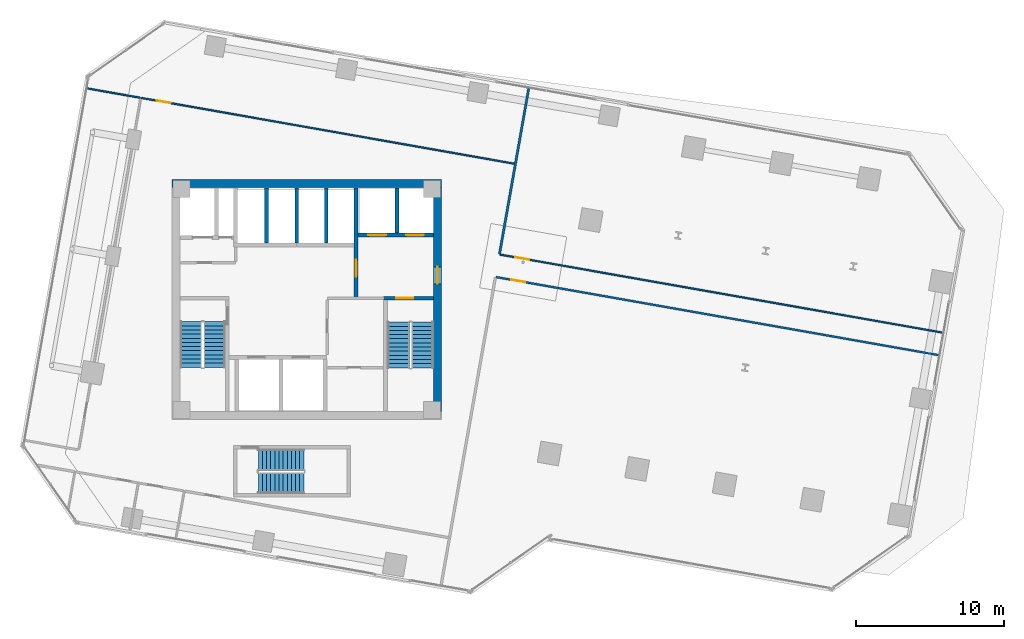
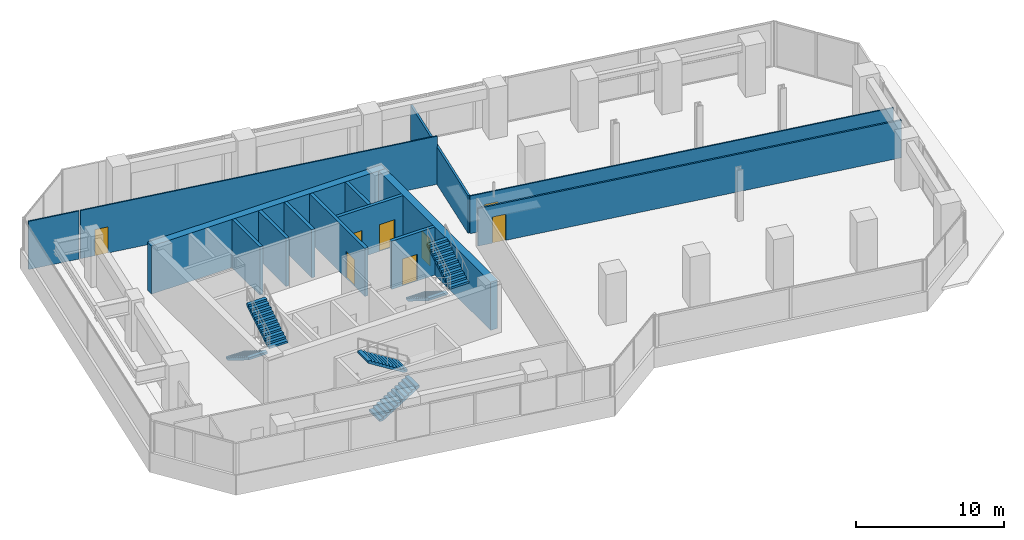
# One storey, part 20 of 24: 14 walls, 8 doors, 6 stair flights, 8 openings, 3 elements without a shape of their own.
"""IFC4 building model written with IfcOpenShell, lengths in metres."""

from ifc_helpers import new_model, si_unit, direction, frame, frame_2d, origin, place, context, subcontext, project, spatial, polyline, rectangle, outline, extrude, source, transform, mapped, material, layer, layer_set, type_object, element, fill, aggregate, save


model = new_model("IFC4")

# Units and contexts
model_context = context("Model", 3, precision=1e-05, world=origin(), true_north=direction((0.0, 1.0)))
body_context = subcontext(model_context, "Body", "Model", "MODEL_VIEW")
ifc_project = project(units=[si_unit("LENGTHUNIT", "METRE"), si_unit("AREAUNIT", "SQUARE_METRE"), si_unit("VOLUMEUNIT", "CUBIC_METRE"), si_unit("PLANEANGLEUNIT", "RADIAN"), si_unit("MASSUNIT", "GRAM", prefix="KILO")], contexts=[model_context])

# Site, building, storey
site_placement = place(None, origin())
site = spatial("IfcSite", under=ifc_project, at=site_placement, CompositionType="ELEMENT")
building_placement = place(site_placement, origin())
building = spatial("IfcBuilding", under=site, at=building_placement, Name="Torre Montelarca", CompositionType="ELEMENT")
storey_placement = place(building_placement, frame((0.0, 0.0, 74.800048828125)))
storey = spatial("IfcBuildingStorey", under=building, at=storey_placement, Name="L16", CompositionType="ELEMENT", Elevation=74.800048828125)

# Wall, opening, door
ifc_material_1 = material(Name="Concrete C40/50", Category="concrete")
ifc_layer_1 = layer(ifc_material_1, 0.25, Name="Concrete C40/50", Category="concrete")
ifc_layer_set_1 = layer_set([ifc_layer_1], Name="Concrete C40/50")
wall_type_1 = type_object("IfcWallType", Name="CW-SHAFT-250", PredefinedType="SHEAR", material=ifc_layer_set_1)
wall_1_placement = place(storey_placement, frame((23.18994140625, 32.074951171875, 0.0), z_axis=(0.0, 0.0, 1.0), x_axis=(1.0, 0.0, 0.0)))
wall_1 = element("IfcWall", 1, at=wall_1_placement, inside=storey, type_object=wall_type_1, Name="L16 Core Shear Wall SH-ST2-N", PredefinedType="SHEAR", context=body_context, shape_type="SweptSolid", body=[
    extrude(rectangle(XDim=3.35009765625, YDim=0.25, at=frame_2d((1.675048828125, 0.0))), origin(), (0.0, 0.0, 1.0), 3.9599609375),
])
opening_1_placement = place(wall_1_placement, frame((0.85009765625, 0.0, 0.0)))
opening_1 = element("IfcOpeningElement", 2, at=opening_1_placement, cuts=wall_1, Name="Opening FD-ST1", PredefinedType="OPENING", context=body_context, shape_type="SweptSolid", body=[
    extrude(rectangle(XDim=1.14990234375, YDim=2.199951171875, at=frame_2d((0.574951171875, 1.10009765625))), frame((0.0, 0.135009765625, 0.0), z_axis=(0.0, -1.0, 0.0), x_axis=(1.0, 0.0, 0.0)), (0.0, 0.0, 1.0), 0.27001953125),
])
ifc_material_2 = material(Name="Galvanized steel fire door", Category="steel")
door_type_1 = type_object("IfcDoorType", Name="DR-STAIR-115", OperationType="NOTDEFINED", PredefinedType="DOOR", material=ifc_material_2)
shared_shape_1 = source(origin(), body_context, "Body", "SweptSolid", [
    extrude(rectangle(XDim=1.14990234375, YDim=2.199951171875, at=frame_2d((0.574951171875, 1.10009765625))), frame((0.0, 0.02490234375, 0.0), z_axis=(0.0, -1.0, 0.0), x_axis=(1.0, 0.0, 0.0)), (0.0, 0.0, 1.0), 0.050048828125),
])
door_1_placement = place(opening_1_placement, origin())
door_1 = element("IfcDoor", 3, at=door_1_placement, inside=storey, type_object=door_type_1, Name="L16 Exit Stair ST2 Fire Door", OperationType="SINGLE_SWING_RIGHT", OverallHeight=2.199951171875, OverallWidth=1.14990234375, PredefinedType="DOOR", context=body_context, shape_type="MappedRepresentation", body=[
    mapped(shared_shape_1, transform((0.0, 0.0, 0.0), scale=1.0)),
])
fill(opening_1, door_1)

wall_2_placement = place(storey_placement, frame((21.320068359375, 32.1201171875, 0.0), z_axis=(0.0, 0.0, 1.0), x_axis=(0.0, 1.0, 0.0)))
wall_2 = element("IfcWall", 4, at=wall_2_placement, inside=storey, type_object=wall_type_1, Name="L16 Core Shear Wall SH-FFL-W", PredefinedType="SHEAR", context=body_context, shape_type="SweptSolid", body=[
    extrude(rectangle(XDim=7.419921875, YDim=0.25, at=frame_2d((3.7099609375, 0.0))), origin(), (0.0, 0.0, 1.0), 3.9599609375),
])
opening_2_placement = place(wall_2_placement, frame((1.39990234375, 0.0, 0.0)))
opening_2 = element("IfcOpeningElement", 5, at=opening_2_placement, cuts=wall_2, Name="Opening FD-LB1", PredefinedType="OPENING", context=body_context, shape_type="SweptSolid", body=[
    extrude(rectangle(XDim=1.14990234375, YDim=2.199951171875, at=frame_2d((0.574951171875, 1.10009765625))), frame((0.0, 0.135009765625, 0.0), z_axis=(0.0, -1.0, 0.0), x_axis=(1.0, 0.0, 0.0)), (0.0, 0.0, 1.0), 0.27001953125),
])
ifc_material_3 = material(Name="Acoustic timber-veneered fire door", Category="wood")
door_type_2 = type_object("IfcDoorType", Name="DR-LOBBY-115", OperationType="NOTDEFINED", PredefinedType="DOOR", material=ifc_material_3)
shared_shape_2 = source(origin(), body_context, "Body", "SweptSolid", [
    extrude(rectangle(XDim=1.14990234375, YDim=2.199951171875, at=frame_2d((0.574951171875, 1.10009765625))), frame((0.0, 0.02490234375, 0.0), z_axis=(0.0, -1.0, 0.0), x_axis=(1.0, 0.0, 0.0)), (0.0, 0.0, 1.0), 0.050048828125),
])
door_2_placement = place(opening_2_placement, origin())
door_2 = element("IfcDoor", 6, at=door_2_placement, inside=storey, type_object=door_type_2, Name="L16 Lift Lobby to Firefighting Lobby Smoke Door", OperationType="SINGLE_SWING_LEFT", OverallHeight=2.199951171875, OverallWidth=1.14990234375, PredefinedType="DOOR", context=body_context, shape_type="MappedRepresentation", body=[
    mapped(shared_shape_2, transform((0.0, 0.0, 0.0), scale=1.0)),
])
fill(opening_2, door_2)

# Wall, openings, doors
wall_3_placement = place(storey_placement, frame((21.449951171875, 36.35009765625, 0.0), z_axis=(0.0, 0.0, 1.0), x_axis=(1.0, 0.0, 0.0)))
wall_3 = element("IfcWall", 7, at=wall_3_placement, inside=storey, type_object=wall_type_1, Name="L16 Core Shear Wall SH-FF-S", PredefinedType="SHEAR", context=body_context, shape_type="SweptSolid", body=[
    extrude(rectangle(XDim=5.090087890625, YDim=0.25, at=frame_2d((2.544921875, 0.0))), origin(), (0.0, 0.0, 1.0), 3.9599609375),
])
opening_3_placement = place(wall_3_placement, frame((0.699951171875, 0.0, 0.0)))
opening_3 = element("IfcOpeningElement", 8, at=opening_3_placement, cuts=wall_3, Name="Opening LD-120", PredefinedType="OPENING", context=body_context, shape_type="SweptSolid", body=[
    extrude(rectangle(XDim=1.199951171875, YDim=2.199951171875, at=frame_2d((0.60009765625, 1.10009765625))), frame((0.0, 0.135009765625, 0.0), z_axis=(0.0, -1.0, 0.0), x_axis=(1.0, 0.0, 0.0)), (0.0, 0.0, 1.0), 0.27001953125),
])
opening_4_placement = place(wall_3_placement, frame((3.25, 0.0, 0.0)))
opening_4 = element("IfcOpeningElement", 9, at=opening_4_placement, cuts=wall_3, Name="Opening LD-120", PredefinedType="OPENING", context=body_context, shape_type="SweptSolid", body=[
    extrude(rectangle(XDim=1.199951171875, YDim=2.199951171875, at=frame_2d((0.60009765625, 1.10009765625))), frame((0.0, 0.135009765625, 0.0), z_axis=(0.0, -1.0, 0.0), x_axis=(1.0, 0.0, 0.0)), (0.0, 0.0, 1.0), 0.27001953125),
])
ifc_material_4 = material(Name="Brushed stainless steel AISI 316", Category="steel")
door_type_3 = type_object("IfcDoorType", Name="DR-LIFT-120", OperationType="SLIDING_TO_RIGHT", PredefinedType="DOOR", material=ifc_material_4)
shared_shape_3 = source(origin(), body_context, "Body", "SweptSolid", [
    extrude(rectangle(XDim=1.199951171875, YDim=2.199951171875, at=frame_2d((0.60009765625, 1.10009765625))), frame((0.0, 0.02490234375, 0.0), z_axis=(0.0, -1.0, 0.0), x_axis=(1.0, 0.0, 0.0)), (0.0, 0.0, 1.0), 0.050048828125),
])
door_3_placement = place(opening_3_placement, origin())
door_3 = element("IfcDoor", 10, at=door_3_placement, inside=storey, type_object=door_type_3, Name="L16 Lift Landing Sliding Door FF-1", OperationType="SLIDING_TO_LEFT", OverallHeight=2.199951171875, OverallWidth=1.199951171875, PredefinedType="DOOR", context=body_context, shape_type="MappedRepresentation", body=[
    mapped(shared_shape_3, transform((0.0, 0.0, 0.0), scale=1.0)),
])
fill(opening_3, door_3)
door_4_placement = place(opening_4_placement, origin())
door_4 = element("IfcDoor", 11, at=door_4_placement, inside=storey, type_object=door_type_3, Name="L16 Lift Landing Sliding Door FF-2", OperationType="SLIDING_TO_RIGHT", OverallHeight=2.199951171875, OverallWidth=1.199951171875, PredefinedType="DOOR", context=body_context, shape_type="MappedRepresentation", body=[
    mapped(shared_shape_3, transform((0.0, 0.0, 0.0), scale=1.0)),
])
fill(opening_4, door_4)

# Walls
wall_4_placement = place(storey_placement, frame((24.080078125, 36.47998046875, 0.0), z_axis=(0.0, 0.0, 1.0), x_axis=(0.0, 1.0, 0.0)))
element("IfcWall", 12, at=wall_4_placement, inside=storey, type_object=wall_type_1, Name="L16 Core Shear Wall SH-FF-M", PredefinedType="SHEAR", context=body_context, shape_type="SweptSolid", body=[
    extrude(rectangle(XDim=3.06005859375, YDim=0.25, at=frame_2d((1.530029296875, 0.0))), origin(), (0.0, 0.0, 1.0), 3.9599609375),
])
for number, where, z_axis, x_axis, name in (
    (13, (15.280029296875, 35.81005859375, 0.0), (0.0, 0.0, 1.0), (0.0, 1.0, 0.0), "L16 Core Shear Wall SH-PLM-M"),
    (14, (17.320068359375, 35.81005859375, 0.0), (0.0, 0.0, 1.0), (0.0, 1.0, 0.0), "L16 Core Shear Wall SH-PLH-W"),
    (15, (19.320068359375, 35.81005859375, 0.0), (0.0, 0.0, 1.0), (0.0, 1.0, 0.0), "L16 Core Shear Wall SH-PLH-M"),
):
    element("IfcWall", number, at=place(storey_placement, frame(where, z_axis=z_axis, x_axis=x_axis)), inside=storey, type_object=wall_type_1, Name=name, PredefinedType="SHEAR", context=body_context, shape_type="SweptSolid", body=[
        extrude(rectangle(XDim=3.72998046875, YDim=0.25, at=frame_2d((1.864990234375, 0.0))), origin(), (0.0, 0.0, 1.0), 3.9599609375),
    ])

# Wall, opening, door
ifc_material_5 = material(Name="Concrete C70/85", Category="concrete")
ifc_layer_2 = layer(ifc_material_5, 0.550048828125, Name="Concrete C70/85", Category="concrete")
ifc_layer_set_2 = layer_set([ifc_layer_2], Name="Concrete C70/85")
wall_type_2 = type_object("IfcWallType", Name="CW-SHEAR-550", PredefinedType="SHEAR", material=ifc_layer_set_2)
wall_5_placement = place(storey_placement, frame((26.824951171875, 24.449951171875, 0.0), z_axis=(0.0, 0.0, 1.0), x_axis=(0.0, 1.0, 0.0)))
wall_5 = element("IfcWall", 16, at=wall_5_placement, inside=storey, type_object=wall_type_2, Name="L16 Core Shear Wall CW-E", PredefinedType="SHEAR", context=body_context, shape_type="SweptSolid", body=[
    extrude(rectangle(XDim=15.10009765625, YDim=0.550048828125, at=frame_2d((7.550048828125, 0.0))), origin(), (0.0, 0.0, 1.0), 3.9599609375),
])
opening_5_placement = place(wall_5_placement, frame((8.60009765625, 0.0, 0.0)))
opening_5 = element("IfcOpeningElement", 17, at=opening_5_placement, cuts=wall_5, Name="Opening FD-LB1", PredefinedType="OPENING", context=body_context, shape_type="SweptSolid", body=[
    extrude(rectangle(XDim=1.14990234375, YDim=2.199951171875, at=frame_2d((0.574951171875, 1.10009765625))), frame((0.0, 0.28515625, 0.0), z_axis=(0.0, -1.0, 0.0), x_axis=(1.0, 0.0, 0.0)), (0.0, 0.0, 1.0), 0.570068359375),
])
door_5_placement = place(opening_5_placement, origin())
door_5 = element("IfcDoor", 18, at=door_5_placement, inside=storey, type_object=door_type_2, Name="L16 Firefighting Lift Lobby Corridor Fire Door", OperationType="SINGLE_SWING_RIGHT", OverallHeight=2.199951171875, OverallWidth=1.14990234375, PredefinedType="DOOR", context=body_context, shape_type="MappedRepresentation", body=[
    mapped(shared_shape_2, transform((0.0, 0.0, 0.0), scale=1.0)),
])
fill(opening_5, door_5)

# Walls
wall_6_placement = place(storey_placement, frame((8.89990234375, 39.824951171875, 0.0), z_axis=(0.0, 0.0, 1.0), x_axis=(1.0, 0.0, 0.0)))
element("IfcWall", 19, at=wall_6_placement, inside=storey, type_object=wall_type_2, Name="L16 Core Shear Wall CW-N1", PredefinedType="SHEAR", context=body_context, shape_type="SweptSolid", body=[
    extrude(rectangle(XDim=18.2001953125, YDim=0.550048828125, at=frame_2d((9.10009765625, 0.0))), origin(), (0.0, 0.0, 1.0), 3.9599609375),
])
ifc_material_6 = material(Name="Gypsum plasterboard on steel stud", Category="steel")
ifc_layer_3 = layer(ifc_material_6, 0.159912109375, Name="Gypsum plasterboard on steel stud", Category="steel")
ifc_layer_set_3 = layer_set([ifc_layer_3], Name="Gypsum plasterboard on steel stud")
wall_type_3 = type_object("IfcWallType", Name="PW-FIRE-160", PredefinedType="PARTITIONING", material=ifc_layer_set_3)
wall_7_placement = place(storey_placement, frame((31.008544921875, 35.07568359375, 0.0), z_axis=(0.0, 0.0, 1.0), x_axis=(0.173653918008, 0.984806740818, 0.0)))
element("IfcWall", 20, at=wall_7_placement, inside=storey, type_object=wall_type_3, Name="L16 Interior Partition W-L16-ECN", PredefinedType="PARTITIONING", context=body_context, shape_type="SweptSolid", body=[
    extrude(rectangle(XDim=11.340087890625, YDim=0.159912109375, at=frame_2d((5.669921875, 0.0))), origin(), (0.0, 0.0, 1.0), 3.094970703125),
])

# Wall, opening, door
ifc_material_7 = material(Name="Acoustic laminated glass partition", Category="glass")
ifc_layer_4 = layer(ifc_material_7, 0.10009765625, Name="Acoustic laminated glass partition", Category="glass")
ifc_layer_set_4 = layer_set([ifc_layer_4], Name="Acoustic laminated glass partition")
wall_type_4 = type_object("IfcWallType", Name="PW-GLAZ-100", PredefinedType="PARTITIONING", material=ifc_layer_set_4)
wall_8_placement = place(storey_placement, frame((6.82958984375, 45.604248046875, 0.0), z_axis=(0.0, 0.0, 1.0), x_axis=(0.984806496121, -0.173655305701, 0.0)))
wall_8 = element("IfcWall", 21, at=wall_8_placement, inside=storey, type_object=wall_type_4, Name="L16 Interior Partition W-L16-NBOT", PredefinedType="PARTITIONING", context=body_context, shape_type="SweptSolid", body=[
    extrude(rectangle(XDim=25.599853515625, YDim=0.10009765625, at=frame_2d((12.7998046875, 0.0))), origin(), (0.0, 0.0, 1.0), 3.9599609375),
])
opening_6_placement = place(wall_8_placement, frame((1.050048828125, 0.0, 0.0)))
opening_6 = element("IfcOpeningElement", 22, at=opening_6_placement, cuts=wall_8, Name="Opening ID-095", PredefinedType="OPENING", context=body_context, shape_type="SweptSolid", body=[
    extrude(rectangle(XDim=0.949951171875, YDim=2.14990234375, at=frame_2d((0.47509765625, 1.074951171875))), frame((0.0, 0.06005859375, 0.0), z_axis=(0.0, -1.0, 0.0), x_axis=(1.0, 0.0, 0.0)), (0.0, 0.0, 1.0), 0.1201171875),
])
ifc_material_8 = material(Name="Hardwood acoustic timber veneer", Category="wood")
door_type_4 = type_object("IfcDoorType", Name="DR-INT-095", OperationType="NOTDEFINED", PredefinedType="DOOR", material=ifc_material_8)
shared_shape_4 = source(origin(), body_context, "Body", "SweptSolid", [
    extrude(rectangle(XDim=0.949951171875, YDim=2.14990234375, at=frame_2d((0.47509765625, 1.074951171875))), frame((0.0, 0.02490234375, 0.0), z_axis=(0.0, -1.0, 0.0), x_axis=(1.0, 0.0, 0.0)), (0.0, 0.0, 1.0), 0.050048828125),
])
door_6_placement = place(opening_6_placement, origin())
door_6 = element("IfcDoor", 23, at=door_6_placement, inside=storey, type_object=door_type_4, Name="L16 Interior Door 07", OperationType="SINGLE_SWING_LEFT", OverallHeight=2.14990234375, OverallWidth=0.949951171875, PredefinedType="DOOR", context=body_context, shape_type="MappedRepresentation", body=[
    mapped(shared_shape_4, transform((0.0, 0.0, 0.0), scale=1.0)),
])
fill(opening_6, door_6)

# Wall
wall_9_placement = place(storey_placement, frame((3.17578125, 46.24853515625, 0.0), z_axis=(0.0, 0.0, 1.0), x_axis=(0.984795743306, -0.173716274326, 0.0)))
element("IfcWall", 24, at=wall_9_placement, inside=storey, type_object=wall_type_4, Name="L16 Interior Partition W-L16-WWGN", PredefinedType="PARTITIONING", context=body_context, shape_type="SweptSolid", body=[
    extrude(rectangle(XDim=3.630126953125, YDim=0.10009765625, at=frame_2d((1.81494140625, 0.0))), origin(), (0.0, 0.0, 1.0), 3.9599609375),
])

# Wall, opening, door
wall_10_placement = place(storey_placement, frame((31.041015625, 35.029296875, 0.0), z_axis=(0.0, 0.0, 1.0), x_axis=(0.984807519997, -0.173649499156, 0.0)))
wall_10 = element("IfcWall", 25, at=wall_10_placement, inside=storey, type_object=wall_type_4, Name="L16 Interior Partition W-L16-NE-S", PredefinedType="PARTITIONING", context=body_context, shape_type="SweptSolid", body=[
    extrude(rectangle(XDim=30.35009765625, YDim=0.10009765625, at=frame_2d((15.175048828125, 0.0))), origin(), (0.0, 0.0, 1.0), 3.094970703125),
])
opening_7_placement = place(wall_10_placement, frame((1.050048828125, 0.0, 0.0)))
opening_7 = element("IfcOpeningElement", 26, at=opening_7_placement, cuts=wall_10, Name="Opening ID-095", PredefinedType="OPENING", context=body_context, shape_type="SweptSolid", body=[
    extrude(rectangle(XDim=0.949951171875, YDim=2.14990234375, at=frame_2d((0.47509765625, 1.074951171875))), frame((0.0, 0.06005859375, 0.0), z_axis=(0.0, -1.0, 0.0), x_axis=(1.0, 0.0, 0.0)), (0.0, 0.0, 1.0), 0.1201171875),
])
door_7_placement = place(opening_7_placement, origin())
door_7 = element("IfcDoor", 27, at=door_7_placement, inside=storey, type_object=door_type_4, Name="L16 Interior Door 09", OperationType="SINGLE_SWING_LEFT", OverallHeight=2.14990234375, OverallWidth=0.949951171875, PredefinedType="DOOR", context=body_context, shape_type="MappedRepresentation", body=[
    mapped(shared_shape_4, transform((0.0, 0.0, 0.0), scale=1.0)),
])
fill(opening_7, door_7)

ifc_layer_5 = layer(ifc_material_6, 0.135009765625, Name="Gypsum plasterboard on steel stud", Category="steel")
ifc_layer_set_5 = layer_set([ifc_layer_5], Name="Gypsum plasterboard on steel stud")
wall_type_5 = type_object("IfcWallType", Name="PW-PART-135", PredefinedType="PARTITIONING", material=ifc_layer_set_5)
wall_11_placement = place(storey_placement, frame((30.773681640625, 33.5126953125, 0.0), z_axis=(0.0, 0.0, 1.0), x_axis=(0.984807519997, -0.173649499156, 0.0)))
wall_11 = element("IfcWall", 28, at=wall_11_placement, inside=storey, type_object=wall_type_5, Name="L16 Interior Partition W-L16-SE-N", PredefinedType="PARTITIONING", context=body_context, shape_type="SweptSolid", body=[
    extrude(rectangle(XDim=30.35009765625, YDim=0.135009765625, at=frame_2d((15.175048828125, 0.0))), origin(), (0.0, 0.0, 1.0), 3.094970703125),
])
opening_8_placement = place(wall_11_placement, frame((1.050048828125, 0.0, 0.0)))
opening_8 = element("IfcOpeningElement", 29, at=opening_8_placement, cuts=wall_11, Name="Opening ID-095", PredefinedType="OPENING", context=body_context, shape_type="SweptSolid", body=[
    extrude(rectangle(XDim=0.949951171875, YDim=2.14990234375, at=frame_2d((0.47509765625, 1.074951171875))), frame((0.0, 0.07763671875, 0.0), z_axis=(0.0, -1.0, 0.0), x_axis=(1.0, 0.0, 0.0)), (0.0, 0.0, 1.0), 0.155029296875),
])
door_8_placement = place(opening_8_placement, origin())
door_8 = element("IfcDoor", 30, at=door_8_placement, inside=storey, type_object=door_type_4, Name="L16 Interior Door 10", OperationType="SINGLE_SWING_LEFT", OverallHeight=2.14990234375, OverallWidth=0.949951171875, PredefinedType="DOOR", context=body_context, shape_type="MappedRepresentation", body=[
    mapped(shared_shape_4, transform((0.0, 0.0, 0.0), scale=1.0)),
])
fill(opening_8, door_8)

# Stair, stair flights
stair_type_1 = type_object("IfcStairType", Name="ST-CORE-ST1", PredefinedType="HALF_TURN_STAIR", material=ifc_material_1)
stair_1_placement = place(storey_placement, origin())
stair_1 = element("IfcStair", 31, at=stair_1_placement, inside=storey, type_object=stair_type_1, Name="L16 Protected Exit Stair ST1", PredefinedType="HALF_TURN_STAIR")
stair_flight_type_1 = type_object("IfcStairFlightType", Name="SFL-CORE-ST1", PredefinedType="STRAIGHT", material=ifc_material_1)
stair_flight_1_placement = place(storey_placement, frame((10.175048828125, 30.5, 0.0), z_axis=(0.0, 0.0, 1.0), x_axis=(0.0, -1.0, 0.0)))
stair_flight_1 = element("IfcStairFlight", 32, at=stair_flight_1_placement, type_object=stair_flight_type_1, Name="ST1 flight 1", NumberOfRisers=12, NumberOfTreads=11, PredefinedType="STRAIGHT", RiserHeight=0.175, TreadLength=0.28, context=body_context, shape_type="SweptSolid", body=[
    extrude(outline(polyline([(0.0, 0.0), (0.0, 0.175048828125), (0.280029296875, 0.175048828125), (0.280029296875, 0.35009765625), (0.56005859375, 0.35009765625), (0.56005859375, 0.52490234375), (0.840087890625, 0.52490234375), (0.840087890625, 0.699951171875), (1.1201171875, 0.699951171875), (1.1201171875, 0.875), (1.39990234375, 0.875), (1.39990234375, 1.050048828125), (1.679931640625, 1.050048828125), (1.679931640625, 1.22509765625), (1.9599609375, 1.22509765625), (1.9599609375, 1.39990234375), (2.239990234375, 1.39990234375), (2.239990234375, 1.574951171875), (2.52001953125, 1.574951171875), (2.52001953125, 1.75), (2.800048828125, 1.75), (2.800048828125, 1.925048828125), (3.080078125, 1.925048828125), (3.080078125, 2.10009765625), (3.080078125, 1.748291015625), (0.28271484375, 0.0), (0.0, 0.0)])), frame((0.0, 0.72509765625, 0.0), z_axis=(0.0, -1.0, 0.0), x_axis=(1.0, 0.0, 0.0)), (0.0, 0.0, 1.0), 1.449951171875),
])
stair_flight_2_placement = place(storey_placement, frame((11.77490234375, 27.419921875, 2.099853515625), z_axis=(0.0, 0.0, 1.0), x_axis=(0.0, 1.0, 0.0)))
stair_flight_2 = element("IfcStairFlight", 33, at=stair_flight_2_placement, type_object=stair_flight_type_1, Name="ST1 flight 2", NumberOfRisers=12, NumberOfTreads=11, PredefinedType="STRAIGHT", RiserHeight=0.175, TreadLength=0.28, context=body_context, shape_type="SweptSolid", body=[
    extrude(outline(polyline([(0.0, 0.0), (0.0, 0.175048828125), (0.280029296875, 0.175048828125), (0.280029296875, 0.35009765625), (0.56005859375, 0.35009765625), (0.56005859375, 0.52490234375), (0.840087890625, 0.52490234375), (0.840087890625, 0.699951171875), (1.1201171875, 0.699951171875), (1.1201171875, 0.875), (1.39990234375, 0.875), (1.39990234375, 1.050048828125), (1.679931640625, 1.050048828125), (1.679931640625, 1.22509765625), (1.9599609375, 1.22509765625), (1.9599609375, 1.39990234375), (2.239990234375, 1.39990234375), (2.239990234375, 1.574951171875), (2.52001953125, 1.574951171875), (2.52001953125, 1.75), (2.800048828125, 1.75), (2.800048828125, 1.925048828125), (3.080078125, 1.925048828125), (3.080078125, 2.10009765625), (3.080078125, 1.748291015625), (0.28271484375, 0.0), (0.0, 0.0)])), frame((0.0, 0.72509765625, 0.0), z_axis=(0.0, -1.0, 0.0), x_axis=(1.0, 0.0, 0.0)), (0.0, 0.0, 1.0), 1.449951171875),
])
aggregate(stair_1, [stair_flight_1, stair_flight_2])

stair_type_2 = type_object("IfcStairType", Name="ST-CORE-ST2", PredefinedType="HALF_TURN_STAIR", material=ifc_material_1)
stair_2_placement = place(storey_placement, origin())
stair_2 = element("IfcStair", 34, at=stair_2_placement, inside=storey, type_object=stair_type_2, Name="L16 Protected Exit Stair ST2", PredefinedType="HALF_TURN_STAIR")
stair_flight_type_2 = type_object("IfcStairFlightType", Name="SFL-CORE-ST2", PredefinedType="STRAIGHT", material=ifc_material_1)
stair_flight_3_placement = place(storey_placement, frame((24.179931640625, 30.469970703125, 0.0), z_axis=(0.0, 0.0, 1.0), x_axis=(0.0, -1.0, 0.0)))
stair_flight_3 = element("IfcStairFlight", 35, at=stair_flight_3_placement, type_object=stair_flight_type_2, Name="ST2 flight 1", NumberOfRisers=12, NumberOfTreads=11, PredefinedType="STRAIGHT", RiserHeight=0.175, TreadLength=0.28, context=body_context, shape_type="SweptSolid", body=[
    extrude(outline(polyline([(0.0, 0.0), (0.0, 0.175048828125), (0.280029296875, 0.175048828125), (0.280029296875, 0.35009765625), (0.56005859375, 0.35009765625), (0.56005859375, 0.52490234375), (0.840087890625, 0.52490234375), (0.840087890625, 0.699951171875), (1.1201171875, 0.699951171875), (1.1201171875, 0.875), (1.39990234375, 0.875), (1.39990234375, 1.050048828125), (1.679931640625, 1.050048828125), (1.679931640625, 1.22509765625), (1.9599609375, 1.22509765625), (1.9599609375, 1.39990234375), (2.239990234375, 1.39990234375), (2.239990234375, 1.574951171875), (2.52001953125, 1.574951171875), (2.52001953125, 1.75), (2.800048828125, 1.75), (2.800048828125, 1.925048828125), (3.080078125, 1.925048828125), (3.080078125, 2.10009765625), (3.080078125, 1.748291015625), (0.28271484375, 0.0), (0.0, 0.0)])), frame((0.0, 0.739990234375, 0.0), z_axis=(0.0, -1.0, 0.0), x_axis=(1.0, 0.0, 0.0)), (0.0, 0.0, 1.0), 1.47998046875),
])
stair_flight_4_placement = place(storey_placement, frame((25.81005859375, 27.389892578125, 2.099853515625), z_axis=(0.0, 0.0, 1.0), x_axis=(0.0, 1.0, 0.0)))
stair_flight_4 = element("IfcStairFlight", 36, at=stair_flight_4_placement, type_object=stair_flight_type_2, Name="ST2 flight 2", NumberOfRisers=12, NumberOfTreads=11, PredefinedType="STRAIGHT", RiserHeight=0.175, TreadLength=0.28, context=body_context, shape_type="SweptSolid", body=[
    extrude(outline(polyline([(0.0, 0.0), (0.0, 0.175048828125), (0.280029296875, 0.175048828125), (0.280029296875, 0.35009765625), (0.56005859375, 0.35009765625), (0.56005859375, 0.52490234375), (0.840087890625, 0.52490234375), (0.840087890625, 0.699951171875), (1.1201171875, 0.699951171875), (1.1201171875, 0.875), (1.39990234375, 0.875), (1.39990234375, 1.050048828125), (1.679931640625, 1.050048828125), (1.679931640625, 1.22509765625), (1.9599609375, 1.22509765625), (1.9599609375, 1.39990234375), (2.239990234375, 1.39990234375), (2.239990234375, 1.574951171875), (2.52001953125, 1.574951171875), (2.52001953125, 1.75), (2.800048828125, 1.75), (2.800048828125, 1.925048828125), (3.080078125, 1.925048828125), (3.080078125, 2.10009765625), (3.080078125, 1.748291015625), (0.28271484375, 0.0), (0.0, 0.0)])), frame((0.0, 0.739990234375, 0.0), z_axis=(0.0, -1.0, 0.0), x_axis=(1.0, 0.0, 0.0)), (0.0, 0.0, 1.0), 1.47998046875),
])
aggregate(stair_2, [stair_flight_3, stair_flight_4])

stair_type_3 = type_object("IfcStairType", Name="ST-CORE-ST3", PredefinedType="HALF_TURN_STAIR", material=ifc_material_1)
stair_3_placement = place(storey_placement, origin())
stair_3 = element("IfcStair", 37, at=stair_3_placement, inside=storey, type_object=stair_type_3, Name="L16 Low-Rise Exit Stair ST3", PredefinedType="HALF_TURN_STAIR")
stair_flight_type_3 = type_object("IfcStairFlightType", Name="SFL-CORE-ST3", PredefinedType="STRAIGHT", material=ifc_material_1)
stair_flight_5_placement = place(storey_placement, frame((14.719970703125, 19.610107421875, 0.0), z_axis=(0.0, 0.0, 1.0), x_axis=(1.0, 0.0, 0.0)))
stair_flight_5 = element("IfcStairFlight", 38, at=stair_flight_5_placement, type_object=stair_flight_type_3, Name="ST3 flight 1", NumberOfRisers=12, NumberOfTreads=11, PredefinedType="STRAIGHT", RiserHeight=0.175, TreadLength=0.28, context=body_context, shape_type="SweptSolid", body=[
    extrude(outline(polyline([(0.0, 0.0), (0.0, 0.175048828125), (0.280029296875, 0.175048828125), (0.280029296875, 0.35009765625), (0.56005859375, 0.35009765625), (0.56005859375, 0.52490234375), (0.840087890625, 0.52490234375), (0.840087890625, 0.699951171875), (1.1201171875, 0.699951171875), (1.1201171875, 0.875), (1.39990234375, 0.875), (1.39990234375, 1.050048828125), (1.679931640625, 1.050048828125), (1.679931640625, 1.22509765625), (1.9599609375, 1.22509765625), (1.9599609375, 1.39990234375), (2.239990234375, 1.39990234375), (2.239990234375, 1.574951171875), (2.52001953125, 1.574951171875), (2.52001953125, 1.75), (2.800048828125, 1.75), (2.800048828125, 1.925048828125), (3.080078125, 1.925048828125), (3.080078125, 2.10009765625), (3.080078125, 1.748291015625), (0.28271484375, 0.0), (0.0, 0.0)])), frame((0.0, 0.7099609375, 0.0), z_axis=(0.0, -1.0, 0.0), x_axis=(1.0, 0.0, 0.0)), (0.0, 0.0, 1.0), 1.419921875),
])
stair_flight_6_placement = place(storey_placement, frame((17.800048828125, 21.179931640625, 2.099853515625), z_axis=(0.0, 0.0, 1.0), x_axis=(-1.0, 0.0, 0.0)))
stair_flight_6 = element("IfcStairFlight", 39, at=stair_flight_6_placement, type_object=stair_flight_type_3, Name="ST3 flight 2", NumberOfRisers=12, NumberOfTreads=11, PredefinedType="STRAIGHT", RiserHeight=0.175, TreadLength=0.28, context=body_context, shape_type="SweptSolid", body=[
    extrude(outline(polyline([(0.0, 0.0), (0.0, 0.175048828125), (0.280029296875, 0.175048828125), (0.280029296875, 0.35009765625), (0.56005859375, 0.35009765625), (0.56005859375, 0.52490234375), (0.840087890625, 0.52490234375), (0.840087890625, 0.699951171875), (1.1201171875, 0.699951171875), (1.1201171875, 0.875), (1.39990234375, 0.875), (1.39990234375, 1.050048828125), (1.679931640625, 1.050048828125), (1.679931640625, 1.22509765625), (1.9599609375, 1.22509765625), (1.9599609375, 1.39990234375), (2.239990234375, 1.39990234375), (2.239990234375, 1.574951171875), (2.52001953125, 1.574951171875), (2.52001953125, 1.75), (2.800048828125, 1.75), (2.800048828125, 1.925048828125), (3.080078125, 1.925048828125), (3.080078125, 2.10009765625), (3.080078125, 1.748291015625), (0.28271484375, 0.0), (0.0, 0.0)])), frame((0.0, 0.7099609375, 0.0), z_axis=(0.0, -1.0, 0.0), x_axis=(1.0, 0.0, 0.0)), (0.0, 0.0, 1.0), 1.419921875),
])
aggregate(stair_3, [stair_flight_5, stair_flight_6])

save(model, "model.ifc")
